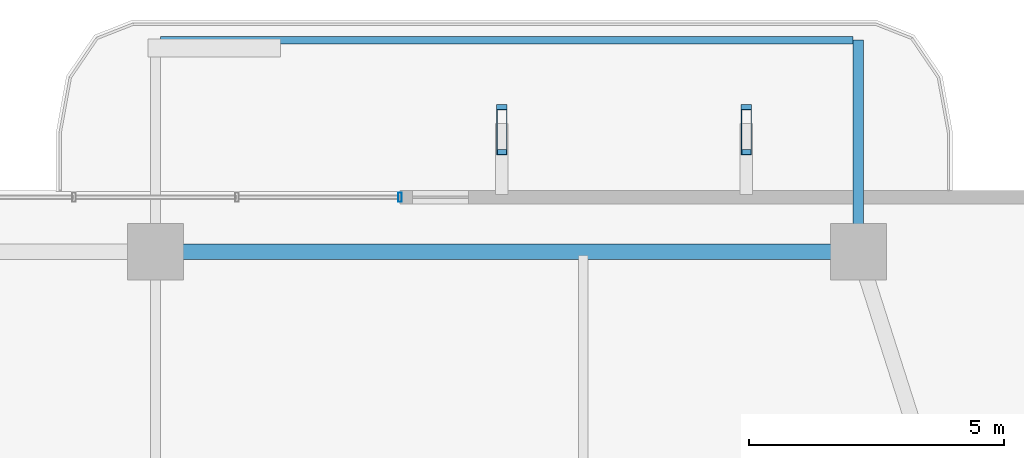
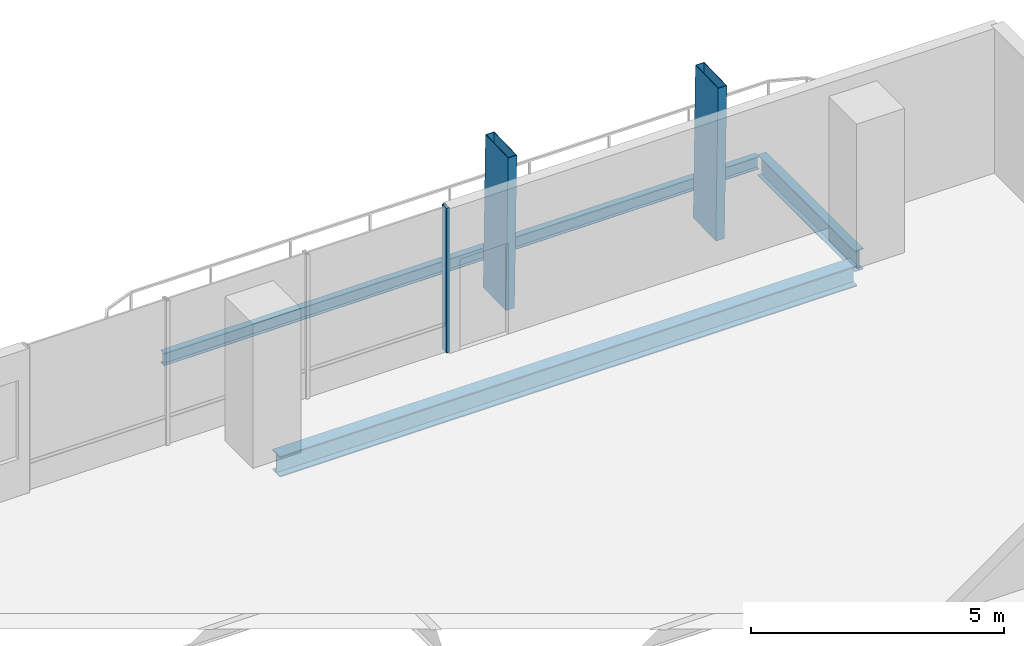
# One storey, part 17 of 25: 3 beams, 3 members, 1 element without a shape of its own.
"""IFC4 building model written with IfcOpenShell, lengths in metres."""

from ifc_helpers import new_model, si_unit, direction, frame, origin, origin_2d, place, context, subcontext, project, spatial, hollow_rectangle, i_section, extrude, material, layer, layer_set, material_profile, profile_set, type_object, element, aggregate, save


model = new_model("IFC4")

# Units and contexts
model_context = context("Model", 3, precision=1e-05, world=origin(), true_north=direction((0.0, 1.0)))
body_context = subcontext(model_context, "Body", "Model", "MODEL_VIEW")
ifc_project = project(units=[si_unit("LENGTHUNIT", "METRE"), si_unit("AREAUNIT", "SQUARE_METRE"), si_unit("VOLUMEUNIT", "CUBIC_METRE"), si_unit("PLANEANGLEUNIT", "RADIAN"), si_unit("MASSUNIT", "GRAM", prefix="KILO")], contexts=[model_context])

# Site, building, storey
site_placement = place(None, origin())
site = spatial("IfcSite", under=ifc_project, at=site_placement, CompositionType="ELEMENT")
building_placement = place(site_placement, origin())
building = spatial("IfcBuilding", under=site, at=building_placement, Name="Belovzor Exchange Tower", CompositionType="ELEMENT")
storey_placement = place(building_placement, frame((0.0, 0.0, 160.800048828125)))
storey = spatial("IfcBuildingStorey", under=building, at=storey_placement, Name="L39", CompositionType="ELEMENT", Elevation=160.800048828125)

# Beams
ifc_material_1 = material(Name="Steel S355", Category="steel")
ifc_material_profile_1 = material_profile(ifc_material_1, i_section(OverallWidth=0.199951171875, OverallDepth=0.5, WebThickness=0.01025390625, FlangeThickness=0.01611328125, at=origin_2d()))
ifc_profile_set_1 = profile_set([ifc_material_profile_1], Name="Steel S355")
beam_type_1 = type_object("IfcBeamType", Name="Planted Balcony Cantilever Beam IPE 500", PredefinedType="BEAM", material=ifc_profile_set_1)
beam_1_placement = place(storey_placement, frame((42.60009765625, 52.202880859375, -0.505126953125), z_axis=(0.0, 1.0, 0.0), x_axis=(-1.0, 0.0, 0.0)))
element("IfcBeam", 1, at=beam_1_placement, inside=storey, type_object=beam_type_1, Name="BC-500 Planted Balcony Cantilever Beam IPE 500", PredefinedType="BEAM", context=body_context, shape_type="SweptSolid", body=[
    extrude(i_section(OverallWidth=0.199951171875, OverallDepth=0.5, WebThickness=0.01025390625, FlangeThickness=0.01611328125, at=origin_2d()), origin(), (0.0, 0.0, 1.0), 3.85009765625),
])
ifc_material_2 = material(Name="Steel S355", Category="steel")
ifc_material_profile_2 = material_profile(ifc_material_2, i_section(OverallWidth=0.14990234375, OverallDepth=0.300048828125, WebThickness=0.007080078125, FlangeThickness=0.0107421875, at=origin_2d()))
ifc_profile_set_2 = profile_set([ifc_material_profile_2], Name="Steel S355")
beam_type_2 = type_object("IfcBeamType", Name="Planted Balcony Fascia Edge Beam IPE 300", PredefinedType="BEAM", material=ifc_profile_set_2)
beam_2_placement = place(storey_placement, frame((42.5, 56.052978515625, -0.405029296875), z_axis=(-1.0, 0.0, 0.0), x_axis=(0.0, -1.0, 0.0)))
element("IfcBeam", 2, at=beam_2_placement, inside=storey, type_object=beam_type_2, Name="BC-300 Planted Balcony Fascia Edge Beam IPE 300", PredefinedType="BEAM", context=body_context, shape_type="SweptSolid", body=[
    extrude(i_section(OverallWidth=0.14990234375, OverallDepth=0.300048828125, WebThickness=0.007080078125, FlangeThickness=0.0107421875, at=origin_2d()), origin(), (0.0, 0.0, 1.0), 13.60009765625),
])

# Members
ifc_material_3 = material(Name="Extruded Architectural Terracotta on Steel S355 Carrier", Category="masonry")
ifc_material_profile_3 = material_profile(ifc_material_3, hollow_rectangle(XDim=0.199951171875, YDim=0.89990234375, WallThickness=0.011962890625, at=origin_2d()))
ifc_profile_set_3 = profile_set([ifc_material_profile_3], Name="Extruded Architectural Terracotta on Steel S355 Carrier")
member_type_1 = type_object("IfcMemberType", Name="Sweeping Terracotta Baguette Fin Assembly 1250", PredefinedType="USERDEFINED", material=ifc_profile_set_3)
for number, where, z_axis, x_axis, name in (
    (3, (35.60009765625, 54.341064453125, -0.255126953125), (0.0, -0.025057234181, 0.999686018215), (1.0, 0.0, 0.0), "FIN-TC125 Terracotta Facade Fin L39 N3"),
    (4, (40.39990234375, 54.341064453125, -0.255126953125), (0.0, -0.025057234181, 0.999686018215), (1.0, 0.0, 0.0), "FIN-TC125 Terracotta Facade Fin L39 N4"),
):
    element("IfcMember", number, at=place(storey_placement, frame(where, z_axis=z_axis, x_axis=x_axis)), inside=storey, type_object=member_type_1, Name=name, ObjectType="FIN", PredefinedType="USERDEFINED", context=body_context, shape_type="SweptSolid", body=[
        extrude(hollow_rectangle(XDim=0.199951171875, YDim=0.89990234375, WallThickness=0.011962890625, at=origin_2d()), origin(), (0.0, 0.0, 1.0), 3.751220703125),
    ])

# Curtain wall, member
ifc_material_4 = material(Name="Anodised Aluminium Framing", Category="aluminium")
ifc_layer = layer(ifc_material_4, 0.179931640625)
ifc_layer_set = layer_set([ifc_layer], Name="Anodised Aluminium Framing")
curtain_wall_type = type_object("IfcCurtainWallType", Name="Recessed Loggia Low-Iron Triple-Glazed Curtain Wall", PredefinedType="NOTDEFINED", material=ifc_layer_set)
curtain_wall_placement = place(storey_placement, origin())
curtain_wall = element("IfcCurtainWall", 5, at=curtain_wall_placement, inside=storey, type_object=curtain_wall_type, Name="CW3 Recessed Loggia Low-Iron Triple-Glazed Curtain Wall L39", PredefinedType="NOTDEFINED")
ifc_material_5 = material(Name="Steel S355", Category="steel")
ifc_material_profile_4 = material_profile(ifc_material_5, hollow_rectangle(XDim=0.074951171875, YDim=0.179931640625, WallThickness=0.0048828125, at=origin_2d()))
ifc_profile_set_4 = profile_set([ifc_material_profile_4], Name="Steel S355")
member_type_2 = type_object("IfcMemberType", Name="Thermally Broken Curtain Wall Mullion 180x75", PredefinedType="MULLION", material=ifc_profile_set_4)
member_placement = place(storey_placement, frame((33.60009765625, 52.969970703125, 0.0), z_axis=(0.0, 0.0, 1.0), x_axis=(1.0, 0.0, 0.0)))
member = element("IfcMember", 6, at=member_placement, type_object=member_type_2, Name="CW-M180 Curtain Wall Mullion 4", PredefinedType="MULLION", context=body_context, shape_type="SweptSolid", body=[
    extrude(hollow_rectangle(XDim=0.074951171875, YDim=0.179931640625, WallThickness=0.0048828125, at=origin_2d()), origin(), (0.0, 0.0, 1.0), 3.494873046875),
])
aggregate(curtain_wall, [member])

# Beam
ifc_material_6 = material(Name="Steel S355", Category="steel")
ifc_material_profile_5 = material_profile(ifc_material_6, i_section(OverallWidth=0.300048828125, OverallDepth=0.5, WebThickness=0.014404296875, FlangeThickness=0.028076171875, at=origin_2d()))
ifc_profile_set_5 = profile_set([ifc_material_profile_5], Name="Steel S355")
beam_type_3 = type_object("IfcBeamType", Name="Zone 3 Waist Primary Girder HEB 500", PredefinedType="BEAM", material=ifc_profile_set_5)
beam_3_placement = place(storey_placement, frame((42.297119140625, 51.89990234375, -0.505126953125), z_axis=(-1.0, 0.0, 0.0), x_axis=(0.0, -1.0, 0.0)))
element("IfcBeam", 7, at=beam_3_placement, inside=storey, type_object=beam_type_3, Name="FG-Z3 Zone 3 Waist Primary Girder HEB 500", PredefinedType="BEAM", context=body_context, shape_type="SweptSolid", body=[
    extrude(i_section(OverallWidth=0.300048828125, OverallDepth=0.5, WebThickness=0.014404296875, FlangeThickness=0.028076171875, at=origin_2d()), origin(), (0.0, 0.0, 1.0), 13.195068359375),
])

save(model, "model.ifc")
